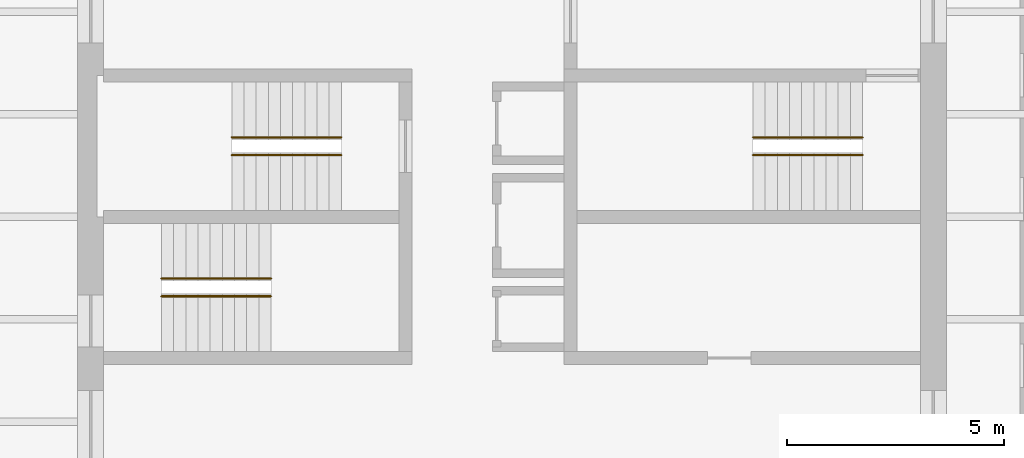
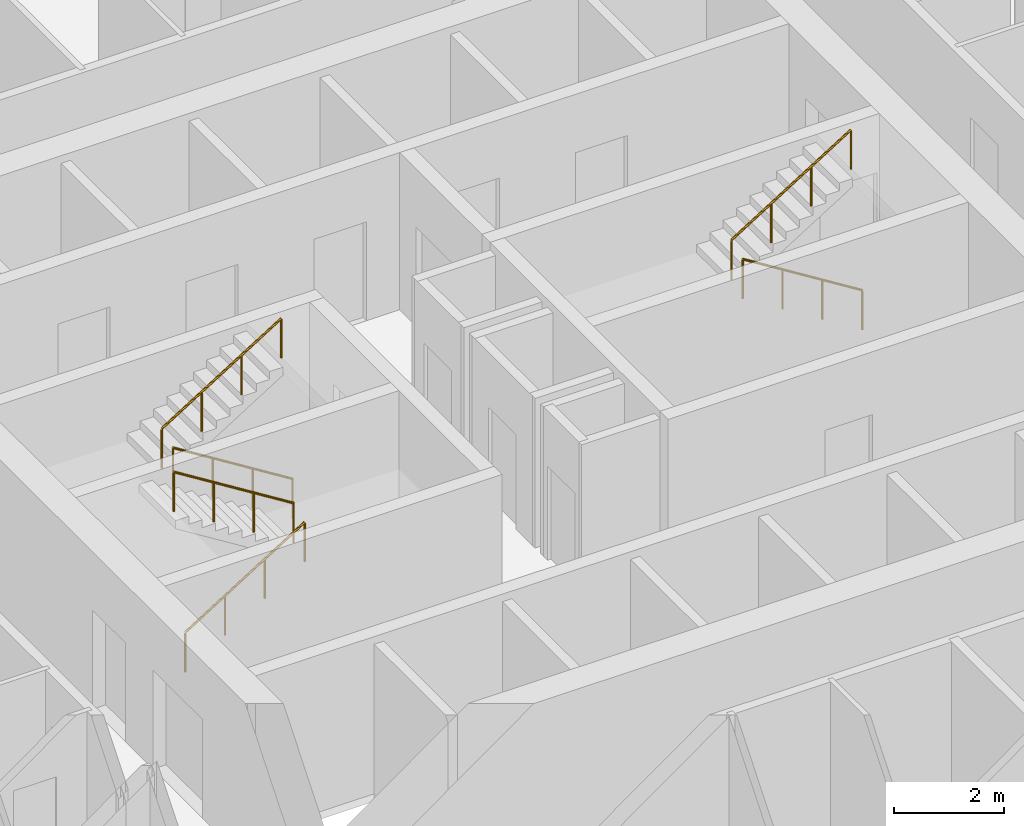
# One storey, part 9 of 9: 6 railings.
"""IFC4 building model written with IfcOpenShell, lengths in metres."""

from ifc_helpers import new_model, si_unit, direction, frame, origin, origin_2d, place, context, subcontext, project, spatial, circle, extrude, material, type_object, element, save


model = new_model("IFC4")

# Units and contexts
model_context = context("Model", 3, precision=1e-05, world=origin(), true_north=direction((0.0, 1.0)))
body_context = subcontext(model_context, "Body", "Model", "MODEL_VIEW")
ifc_project = project(units=[si_unit("LENGTHUNIT", "METRE"), si_unit("AREAUNIT", "SQUARE_METRE"), si_unit("VOLUMEUNIT", "CUBIC_METRE"), si_unit("PLANEANGLEUNIT", "RADIAN"), si_unit("MASSUNIT", "GRAM", prefix="KILO")], contexts=[model_context])

# Site, building, storey
site_placement = place(None, origin())
site = spatial("IfcSite", under=ifc_project, at=site_placement, CompositionType="ELEMENT")
building_placement = place(site_placement, origin())
building = spatial("IfcBuilding", under=site, at=building_placement, Name="Turquesa Mirador Hotel Tower", CompositionType="ELEMENT")
storey_placement = place(building_placement, frame((0.0, 0.0, 149.39990234375)))
storey = spatial("IfcBuildingStorey", under=building, at=storey_placement, Name="L40", CompositionType="ELEMENT", Elevation=149.39990234375)

# Railings
ifc_material = material(Name="Painted steel handrail", Category="steel")
railing_type = type_object("IfcRailingType", Name="HANDRAIL 900 STEEL", PredefinedType="HANDRAIL", material=ifc_material)
railing_1_placement = place(storey_placement, frame((51.070068359375, 46.419921875, 0.175048828125)))
element("IfcRailing", 1, at=railing_1_placement, inside=storey, type_object=railing_type, Name="Handrail ST1", PredefinedType="HANDRAIL", context=body_context, shape_type="SweptSolid", body=[
    extrude(circle(Radius=0.02392578125, at=origin_2d()), frame((0.0, 0.0, 0.8759765625), z_axis=(-0.848007534815, 0.0, 0.529984170421), x_axis=(0.0, -1.0, 0.0)), (0.0, 0.0, 1.0), 2.9716796875),
    extrude(circle(Radius=0.02099609375, at=origin_2d()), origin(), (0.0, 0.0, 1.0), 0.851806640625),
    extrude(circle(Radius=0.02099609375, at=origin_2d()), frame((-0.840087890625, 0.0, 0.52490234375)), (0.0, 0.0, 1.0), 0.851806640625),
    extrude(circle(Radius=0.02099609375, at=origin_2d()), frame((-1.679931640625, 0.0, 1.050048828125)), (0.0, 0.0, 1.0), 0.851806640625),
    extrude(circle(Radius=0.02099609375, at=origin_2d()), frame((-2.52001953125, 0.0, 1.574951171875)), (0.0, 0.0, 1.0), 0.851806640625),
])
for number, where, name in (
    (2, (48.550048828125, 46.830078125, 1.925048828125), "Handrail ST1"),
    (3, (46.929931640625, 43.169921875, 0.175048828125), "Handrail ST2"),
):
    element("IfcRailing", number, at=place(storey_placement, frame(where)), inside=storey, type_object=railing_type, Name=name, PredefinedType="HANDRAIL", context=body_context, shape_type="SweptSolid", body=[
        extrude(circle(Radius=0.02392578125, at=origin_2d()), frame((0.0, 0.0, 0.8759765625), z_axis=(0.848007534815, 0.0, 0.529984170421), x_axis=(0.0, 1.0, 0.0)), (0.0, 0.0, 1.0), 2.9716796875),
        extrude(circle(Radius=0.02099609375, at=origin_2d()), origin(), (0.0, 0.0, 1.0), 0.851806640625),
        extrude(circle(Radius=0.02099609375, at=origin_2d()), frame((0.840087890625, 0.0, 0.52490234375)), (0.0, 0.0, 1.0), 0.851806640625),
        extrude(circle(Radius=0.02099609375, at=origin_2d()), frame((1.679931640625, 0.0, 1.050048828125)), (0.0, 0.0, 1.0), 0.851806640625),
        extrude(circle(Radius=0.02099609375, at=origin_2d()), frame((2.52001953125, 0.0, 1.574951171875)), (0.0, 0.0, 1.0), 0.851806640625),
    ])
for number, where, name in (
    (4, (49.449951171875, 43.580078125, 1.925048828125), "Handrail ST2"),
    (5, (63.070068359375, 46.419921875, 0.175048828125), "Handrail ST3"),
):
    element("IfcRailing", number, at=place(storey_placement, frame(where)), inside=storey, type_object=railing_type, Name=name, PredefinedType="HANDRAIL", context=body_context, shape_type="SweptSolid", body=[
        extrude(circle(Radius=0.02392578125, at=origin_2d()), frame((0.0, 0.0, 0.8759765625), z_axis=(-0.848007534815, 0.0, 0.529984170421), x_axis=(0.0, -1.0, 0.0)), (0.0, 0.0, 1.0), 2.9716796875),
        extrude(circle(Radius=0.02099609375, at=origin_2d()), origin(), (0.0, 0.0, 1.0), 0.851806640625),
        extrude(circle(Radius=0.02099609375, at=origin_2d()), frame((-0.840087890625, 0.0, 0.52490234375)), (0.0, 0.0, 1.0), 0.851806640625),
        extrude(circle(Radius=0.02099609375, at=origin_2d()), frame((-1.679931640625, 0.0, 1.050048828125)), (0.0, 0.0, 1.0), 0.851806640625),
        extrude(circle(Radius=0.02099609375, at=origin_2d()), frame((-2.52001953125, 0.0, 1.574951171875)), (0.0, 0.0, 1.0), 0.851806640625),
    ])
railing_2_placement = place(storey_placement, frame((60.550048828125, 46.830078125, 1.925048828125)))
element("IfcRailing", 6, at=railing_2_placement, inside=storey, type_object=railing_type, Name="Handrail ST3", PredefinedType="HANDRAIL", context=body_context, shape_type="SweptSolid", body=[
    extrude(circle(Radius=0.02392578125, at=origin_2d()), frame((0.0, 0.0, 0.8759765625), z_axis=(0.848007534815, 0.0, 0.529984170421), x_axis=(0.0, 1.0, 0.0)), (0.0, 0.0, 1.0), 2.9716796875),
    extrude(circle(Radius=0.02099609375, at=origin_2d()), origin(), (0.0, 0.0, 1.0), 0.851806640625),
    extrude(circle(Radius=0.02099609375, at=origin_2d()), frame((0.840087890625, 0.0, 0.52490234375)), (0.0, 0.0, 1.0), 0.851806640625),
    extrude(circle(Radius=0.02099609375, at=origin_2d()), frame((1.679931640625, 0.0, 1.050048828125)), (0.0, 0.0, 1.0), 0.851806640625),
    extrude(circle(Radius=0.02099609375, at=origin_2d()), frame((2.52001953125, 0.0, 1.574951171875)), (0.0, 0.0, 1.0), 0.851806640625),
])

save(model, "model.ifc")
